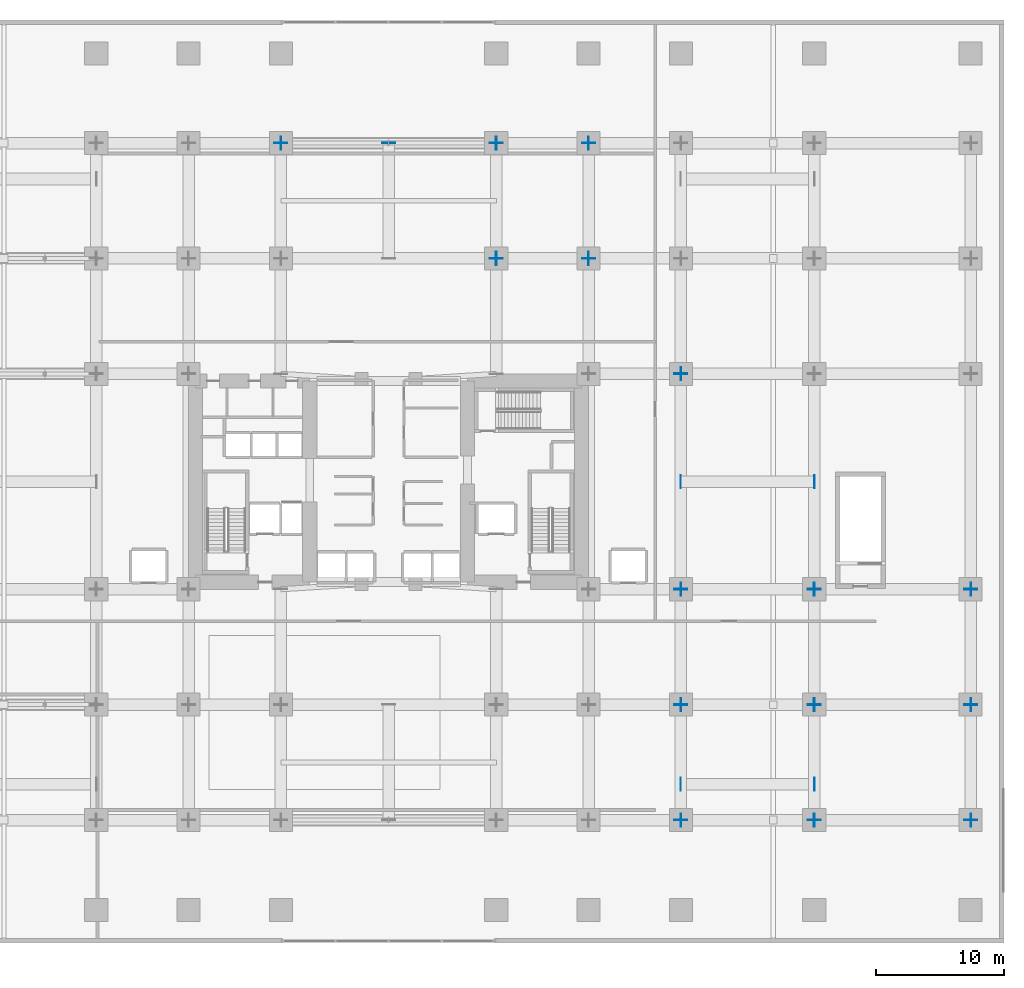
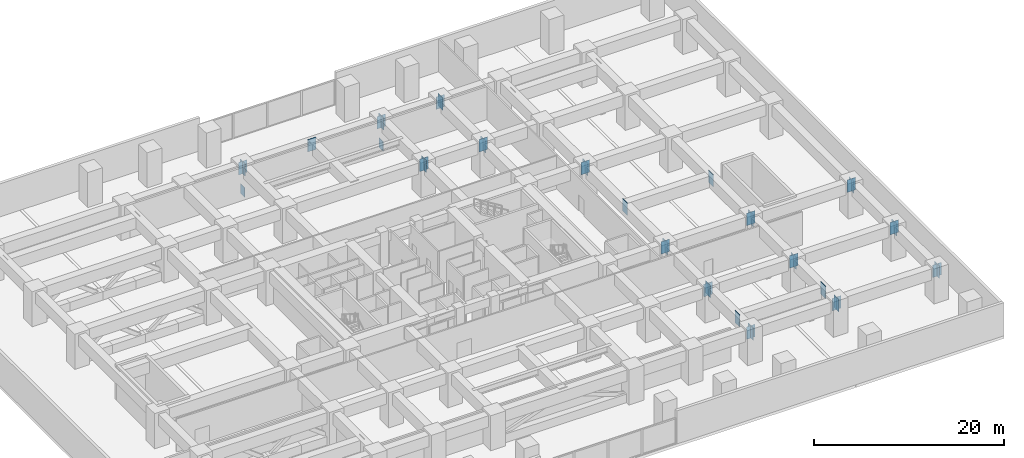
# One storey, part 11 of 25: 58 plates.
"""IFC4 building model written with IfcOpenShell, lengths in metres."""

from ifc_helpers import new_model, si_unit, direction, frame, origin, origin_2d, place, context, subcontext, project, spatial, rectangle, extrude, material, layer, layer_set, type_object, element, save


model = new_model("IFC4")

# Units and contexts
model_context = context("Model", 3, precision=1e-05, world=origin(), true_north=direction((0.0, 1.0)))
body_context = subcontext(model_context, "Body", "Model", "MODEL_VIEW")
ifc_project = project(units=[si_unit("LENGTHUNIT", "METRE"), si_unit("AREAUNIT", "SQUARE_METRE"), si_unit("VOLUMEUNIT", "CUBIC_METRE"), si_unit("PLANEANGLEUNIT", "RADIAN"), si_unit("MASSUNIT", "GRAM", prefix="KILO")], contexts=[model_context])

# Site, building, storey
site_placement = place(None, origin())
site = spatial("IfcSite", under=ifc_project, at=site_placement, CompositionType="ELEMENT")
building_placement = place(site_placement, origin())
building = spatial("IfcBuilding", under=site, at=building_placement, Name="Kiyonajd Concourse Tower", CompositionType="ELEMENT")
storey_placement = place(building_placement, frame((0.0, 0.0, 17.10009765625)))
storey = spatial("IfcBuildingStorey", under=building, at=storey_placement, Name="L05", CompositionType="ELEMENT", Elevation=17.10009765625)

# Plates
ifc_material = material(Name="Steel ASTM A572 Grade 50", Category="steel")
ifc_layer = layer(ifc_material, 0.031982421875)
ifc_layer_set = layer_set([ifc_layer], Name="Steel ASTM A572 Grade 50")
plate_type = type_object("IfcPlateType", Name="PL-CAP-540", PredefinedType="USERDEFINED", material=ifc_layer_set)
for number, where, z_axis, x_axis, name in (
    (1, (39.589111328125, 62.39990234375, -0.0703125), (0.0, 0.0, 1.0), (-1.0, 0.0, 0.0), "L05 Concourse Chord Cap"),
    (2, (56.410888671875, 62.39990234375, -0.0703125), (0.0, 0.0, 1.0), (1.0, 0.0, 0.0), "L05 Concourse Chord Cap"),
):
    element("IfcPlate", number, at=place(storey_placement, frame(where, z_axis=z_axis, x_axis=x_axis)), inside=storey, type_object=plate_type, Name=name, ObjectType="CAP PLATE", PredefinedType="USERDEFINED", context=body_context, shape_type="SweptSolid", body=[
        extrude(rectangle(XDim=0.035888671875, YDim=0.8701171875, at=origin_2d()), origin(), (0.0, 0.0, 1.0), 1.239990234375),
    ])
for number, where, z_axis, x_axis, name in (
    (3, (70.7890625, 12.39990234375, 2.7197265625), (0.0, 0.0, 1.0), (-1.0, 0.0, 0.0), "L05 Transfer Box Cap Plate"),
    (4, (81.2109375, 12.39990234375, 2.7197265625), (0.0, 0.0, 1.0), (1.0, 0.0, 0.0), "L05 Transfer Box Cap Plate"),
    (5, (48.0, 62.410888671875, 2.7197265625), (0.0, 0.0, 1.0), (0.0, 1.0, 0.0), "L05 Transfer Box Cap Plate"),
    (6, (70.7890625, 36.0, 2.7197265625), (0.0, 0.0, 1.0), (-1.0, 0.0, 0.0), "L05 Transfer Box Cap Plate"),
    (7, (81.2109375, 36.0, 2.7197265625), (0.0, 0.0, 1.0), (1.0, 0.0, 0.0), "L05 Transfer Box Cap Plate"),
    (8, (70.81103515625, 9.60009765625, 2.7197265625), (0.0, 0.0, 1.0), (1.0, 0.0, 0.0), "L05 Welded Box Girder End Cap"),
    (9, (70.7890625, 9.60009765625, 2.7197265625), (0.0, 0.0, 1.0), (-1.0, 0.0, 0.0), "L05 Welded Box Girder End Cap"),
    (10, (81.2109375, 9.60009765625, 2.7197265625), (0.0, 0.0, 1.0), (1.0, 0.0, 0.0), "L05 Welded Box Girder End Cap"),
    (11, (81.18896484375, 9.60009765625, 2.73974609375), (0.0, 0.0, 1.0), (-1.0, 0.0, 0.0), "L05 Welded Box Girder End Cap"),
    (12, (93.410888671875, 9.60009765625, 2.73974609375), (0.0, 0.0, 1.0), (1.0, 0.0, 0.0), "L05 Welded Box Girder End Cap"),
    (13, (70.81103515625, 18.60009765625, 2.7197265625), (0.0, 0.0, 1.0), (1.0, 0.0, 0.0), "L05 Welded Box Girder End Cap"),
    (14, (70.7890625, 18.60009765625, 2.7197265625), (0.0, 0.0, 1.0), (-1.0, 0.0, 0.0), "L05 Welded Box Girder End Cap"),
    (15, (81.2109375, 18.60009765625, 2.7197265625), (0.0, 0.0, 1.0), (1.0, 0.0, 0.0), "L05 Welded Box Girder End Cap"),
    (16, (81.18896484375, 18.60009765625, 2.73974609375), (0.0, 0.0, 1.0), (-1.0, 0.0, 0.0), "L05 Welded Box Girder End Cap"),
    (17, (93.410888671875, 18.60009765625, 2.73974609375), (0.0, 0.0, 1.0), (1.0, 0.0, 0.0), "L05 Welded Box Girder End Cap"),
    (18, (70.81103515625, 27.60009765625, 2.7197265625), (0.0, 0.0, 1.0), (1.0, 0.0, 0.0), "L05 Welded Box Girder End Cap"),
    (19, (70.7890625, 27.60009765625, 2.7197265625), (0.0, 0.0, 1.0), (-1.0, 0.0, 0.0), "L05 Welded Box Girder End Cap"),
    (20, (81.2109375, 27.60009765625, 2.7197265625), (0.0, 0.0, 1.0), (1.0, 0.0, 0.0), "L05 Welded Box Girder End Cap"),
    (21, (81.18896484375, 27.60009765625, 2.73974609375), (0.0, 0.0, 1.0), (-1.0, 0.0, 0.0), "L05 Welded Box Girder End Cap"),
    (22, (93.410888671875, 27.60009765625, 2.73974609375), (0.0, 0.0, 1.0), (1.0, 0.0, 0.0), "L05 Welded Box Girder End Cap"),
    (23, (70.81103515625, 44.39990234375, 2.7197265625), (0.0, 0.0, 1.0), (1.0, 0.0, 0.0), "L05 Welded Box Girder End Cap"),
    (24, (70.7890625, 44.39990234375, 2.7197265625), (0.0, 0.0, 1.0), (-1.0, 0.0, 0.0), "L05 Welded Box Girder End Cap"),
    (25, (56.410888671875, 53.39990234375, 2.7197265625), (0.0, 0.0, 1.0), (1.0, 0.0, 0.0), "L05 Welded Box Girder End Cap"),
    (26, (56.388916015625, 53.39990234375, 2.7197265625), (0.0, 0.0, 1.0), (-1.0, 0.0, 0.0), "L05 Welded Box Girder End Cap"),
    (27, (63.611083984375, 53.39990234375, 2.7197265625), (0.0, 0.0, 1.0), (1.0, 0.0, 0.0), "L05 Welded Box Girder End Cap"),
    (28, (63.589111328125, 53.39990234375, 2.7197265625), (0.0, 0.0, 1.0), (-1.0, 0.0, 0.0), "L05 Welded Box Girder End Cap"),
    (29, (39.611083984375, 62.39990234375, 2.7197265625), (0.0, 0.0, 1.0), (1.0, 0.0, 0.0), "L05 Welded Box Girder End Cap"),
    (30, (39.589111328125, 62.39990234375, 2.7197265625), (0.0, 0.0, 1.0), (-1.0, 0.0, 0.0), "L05 Welded Box Girder End Cap"),
    (31, (56.410888671875, 62.39990234375, 2.7197265625), (0.0, 0.0, 1.0), (1.0, 0.0, 0.0), "L05 Welded Box Girder End Cap"),
    (32, (56.388916015625, 62.39990234375, 2.7197265625), (0.0, 0.0, 1.0), (-1.0, 0.0, 0.0), "L05 Welded Box Girder End Cap"),
    (33, (63.611083984375, 62.39990234375, 2.7197265625), (0.0, 0.0, 1.0), (1.0, 0.0, 0.0), "L05 Welded Box Girder End Cap"),
    (34, (63.589111328125, 62.39990234375, 2.7197265625), (0.0, 0.0, 1.0), (-1.0, 0.0, 0.0), "L05 Welded Box Girder End Cap"),
    (35, (39.60009765625, 62.410888671875, 2.7197265625), (0.0, 0.0, 1.0), (0.0, 1.0, 0.0), "L05 Welded Box Girder End Cap"),
    (36, (56.39990234375, 53.410888671875, 2.7197265625), (0.0, 0.0, 1.0), (0.0, 1.0, 0.0), "L05 Welded Box Girder End Cap"),
    (37, (56.39990234375, 53.388916015625, 2.7197265625), (0.0, 0.0, 1.0), (0.0, -1.0, 0.0), "L05 Welded Box Girder End Cap"),
    (38, (56.39990234375, 62.410888671875, 2.7197265625), (0.0, 0.0, 1.0), (0.0, 1.0, 0.0), "L05 Welded Box Girder End Cap"),
    (39, (63.60009765625, 53.410888671875, 2.7197265625), (0.0, 0.0, 1.0), (0.0, 1.0, 0.0), "L05 Welded Box Girder End Cap"),
    (40, (63.60009765625, 53.388916015625, 2.7197265625), (0.0, 0.0, 1.0), (0.0, -1.0, 0.0), "L05 Welded Box Girder End Cap"),
    (41, (63.60009765625, 62.410888671875, 2.7197265625), (0.0, 0.0, 1.0), (0.0, 1.0, 0.0), "L05 Welded Box Girder End Cap"),
    (42, (70.800048828125, 9.589111328125, 2.7197265625), (0.0, 0.0, 1.0), (0.0, -1.0, 0.0), "L05 Welded Box Girder End Cap"),
    (43, (70.800048828125, 18.611083984375, 2.7197265625), (0.0, 0.0, 1.0), (0.0, 1.0, 0.0), "L05 Welded Box Girder End Cap"),
    (44, (70.800048828125, 18.589111328125, 2.7197265625), (0.0, 0.0, 1.0), (0.0, -1.0, 0.0), "L05 Welded Box Girder End Cap"),
    (45, (70.800048828125, 27.611083984375, 2.7197265625), (0.0, 0.0, 1.0), (0.0, 1.0, 0.0), "L05 Welded Box Girder End Cap"),
    (46, (70.800048828125, 27.589111328125, 2.7197265625), (0.0, 0.0, 1.0), (0.0, -1.0, 0.0), "L05 Welded Box Girder End Cap"),
    (47, (70.800048828125, 44.410888671875, 2.7197265625), (0.0, 0.0, 1.0), (0.0, 1.0, 0.0), "L05 Welded Box Girder End Cap"),
    (48, (70.800048828125, 44.388916015625, 2.7197265625), (0.0, 0.0, 1.0), (0.0, -1.0, 0.0), "L05 Welded Box Girder End Cap"),
    (49, (81.199951171875, 9.589111328125, 2.73974609375), (0.0, 0.0, 1.0), (0.0, -1.0, 0.0), "L05 Welded Box Girder End Cap"),
    (50, (81.199951171875, 18.611083984375, 2.73974609375), (0.0, 0.0, 1.0), (0.0, 1.0, 0.0), "L05 Welded Box Girder End Cap"),
    (51, (81.199951171875, 18.589111328125, 2.73974609375), (0.0, 0.0, 1.0), (0.0, -1.0, 0.0), "L05 Welded Box Girder End Cap"),
    (52, (81.199951171875, 27.611083984375, 2.73974609375), (0.0, 0.0, 1.0), (0.0, 1.0, 0.0), "L05 Welded Box Girder End Cap"),
    (53, (81.199951171875, 27.589111328125, 2.73974609375), (0.0, 0.0, 1.0), (0.0, -1.0, 0.0), "L05 Welded Box Girder End Cap"),
    (54, (93.39990234375, 9.589111328125, 2.73974609375), (0.0, 0.0, 1.0), (0.0, -1.0, 0.0), "L05 Welded Box Girder End Cap"),
    (55, (93.39990234375, 18.611083984375, 2.73974609375), (0.0, 0.0, 1.0), (0.0, 1.0, 0.0), "L05 Welded Box Girder End Cap"),
    (56, (93.39990234375, 18.589111328125, 2.73974609375), (0.0, 0.0, 1.0), (0.0, -1.0, 0.0), "L05 Welded Box Girder End Cap"),
    (57, (93.39990234375, 27.611083984375, 2.73974609375), (0.0, 0.0, 1.0), (0.0, 1.0, 0.0), "L05 Welded Box Girder End Cap"),
    (58, (93.39990234375, 27.589111328125, 2.73974609375), (0.0, 0.0, 1.0), (0.0, -1.0, 0.0), "L05 Welded Box Girder End Cap"),
):
    element("IfcPlate", number, at=place(storey_placement, frame(where, z_axis=z_axis, x_axis=x_axis)), inside=storey, type_object=plate_type, Name=name, ObjectType="CAP PLATE", PredefinedType="USERDEFINED", context=body_context, shape_type="SweptSolid", body=[
        extrude(rectangle(XDim=0.035888671875, YDim=1.02001953125, at=origin_2d()), origin(), (0.0, 0.0, 1.0), 1.590087890625),
    ])

save(model, "model.ifc")
